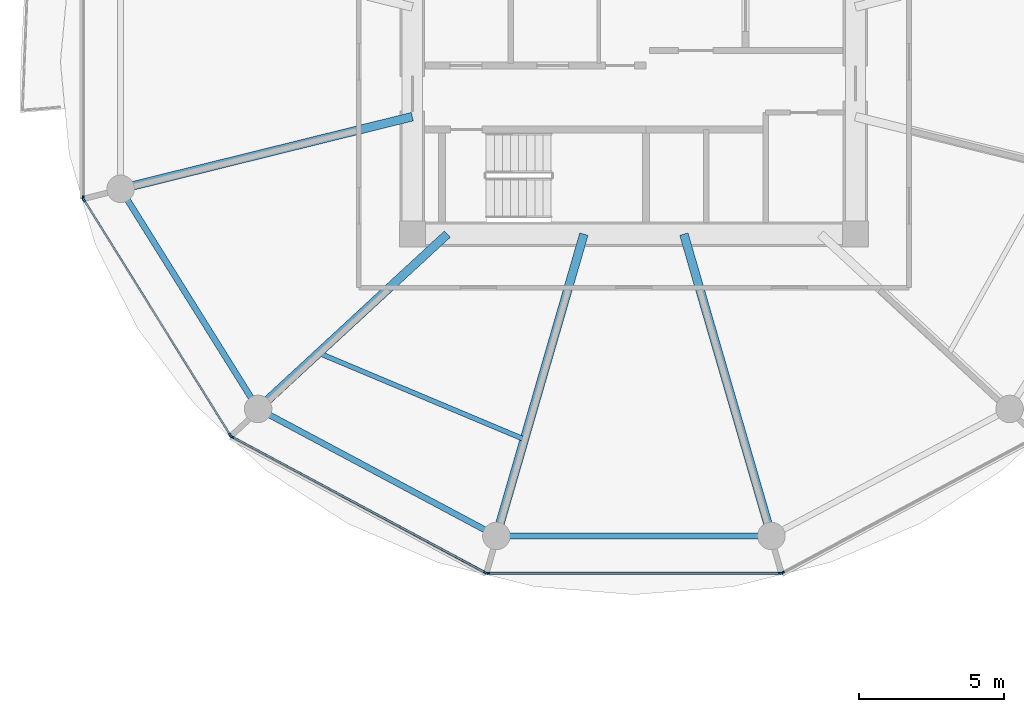
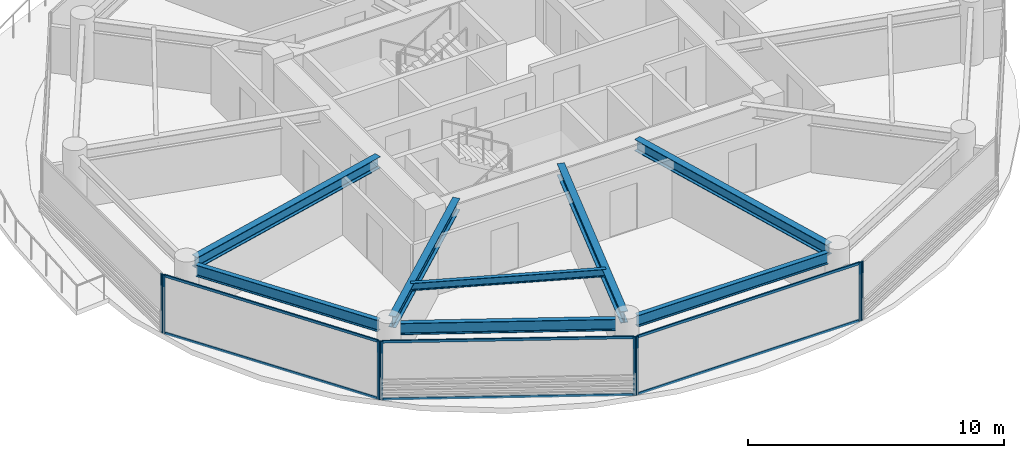
# One storey, part 2 of 25: 14 members, 8 beams, 5 elements without a shape of their own.
"""IFC4 building model written with IfcOpenShell, lengths in metres."""

import ifcopenshell
import ifcopenshell.guid

model = None  # the IFC model being written
_history = None  # IfcOwnerHistory: only IFC2X3 demands one
_inside = {}  # id of a spatial element -> (the spatial element, [elements in it])
_under = {}  # id of a project, library or spatial element -> (it, [spatial elements below it])
_declared = {}  # id of a project -> (the project, [libraries it declares])
_typed = {}  # id of a type object -> (the type object, [elements of that type])
_made_of = {}  # id of a material, layer set ... -> (it, [elements and type objects made of it])


def new_model(schema):
    """Start an empty IFC model of exactly this schema.

    Asked for "IFC4X3", IfcOpenShell would pick the latest addendum, in which some entities
    have other attributes; the version numbers below select the first issue.
    IFC2X3 requires an IfcOwnerHistory on every rooted entity: one is made here for all.
    """
    global model, _history
    if schema == "IFC4X3":
        model = ifcopenshell.file(schema_version=(4, 3, 0, 0))
    else:
        model = ifcopenshell.file(schema=schema)
    _inside.clear()
    _under.clear()
    _declared.clear()
    _typed.clear()
    _made_of.clear()
    _history = None
    if model.schema == "IFC2X3":
        org = make("IfcOrganization", Name="unknown")
        user = make(
            "IfcPersonAndOrganization",
            ThePerson=make("IfcPerson", FamilyName="unknown"),
            TheOrganization=org,
        )
        app = make(
            "IfcApplication",
            ApplicationDeveloper=org,
            Version="unknown",
            ApplicationFullName="unknown",
            ApplicationIdentifier="unknown",
        )
        _history = make(
            "IfcOwnerHistory",
            OwningUser=user,
            OwningApplication=app,
            ChangeAction="ADDED",
            CreationDate=0,
        )
    return model


def make(cls, **values):
    """One entity of the class cls with the attributes given. An attribute that is None is left unset."""
    return model.create_entity(
        cls, **{name: value for name, value in values.items() if value is not None}
    )


def rooted(cls, **values):
    """An entity with a GlobalId (a new one), such as an element, a storey or a relation."""
    return make(cls, GlobalId=ifcopenshell.guid.new(), OwnerHistory=_history, **values)


def si_unit(unit_type, name, prefix=None):
    """IfcSIUnit, for example si_unit("LENGTHUNIT", "METRE", prefix="MILLI")."""
    return make("IfcSIUnit", UnitType=unit_type, Prefix=prefix, Name=name)


def assignment(units):
    """IfcUnitAssignment: the units of a project."""
    return None if units is None else make("IfcUnitAssignment", Units=units)


def point(xyz):
    """IfcCartesianPoint."""
    return None if xyz is None else make("IfcCartesianPoint", Coordinates=xyz)


def direction(xyz):
    """IfcDirection."""
    return None if xyz is None else make("IfcDirection", DirectionRatios=xyz)


def frame(location, z_axis=None, x_axis=None):
    """IfcAxis2Placement3D, a coordinate frame: its origin and axes. An axis left out is left unset."""
    return make(
        "IfcAxis2Placement3D",
        Location=point(location),
        Axis=direction(z_axis),
        RefDirection=direction(x_axis),
    )


def frame_2d(location, x_axis=None):
    """IfcAxis2Placement2D, a coordinate frame in the plane: its origin and x axis."""
    return make(
        "IfcAxis2Placement2D", Location=point(location), RefDirection=direction(x_axis)
    )


def origin():
    """The frame at (0, 0, 0) with its axes left unset."""
    return frame((0.0, 0.0, 0.0))


def origin_2d():
    """The frame at (0, 0) in the plane with its x axis left unset."""
    return frame_2d((0.0, 0.0))


def place(relative_to, where):
    """IfcLocalPlacement: puts the frame where relative to a parent placement (None: the world)."""
    return make(
        "IfcLocalPlacement", PlacementRelTo=relative_to, RelativePlacement=where
    )


def context(
    kind, dimensions, precision=None, world=None, true_north=None, identifier=None
):
    """IfcGeometricRepresentationContext, for example the 3D "Model" context."""
    return make(
        "IfcGeometricRepresentationContext",
        ContextIdentifier=identifier,
        ContextType=kind,
        CoordinateSpaceDimension=dimensions,
        Precision=precision,
        WorldCoordinateSystem=world,
        TrueNorth=true_north,
    )


def subcontext(parent, identifier, kind, view, scale=None):
    """IfcGeometricRepresentationSubContext, for example "Body" below "Model"."""
    return make(
        "IfcGeometricRepresentationSubContext",
        ContextIdentifier=identifier,
        ContextType=kind,
        ParentContext=parent,
        TargetScale=scale,
        TargetView=view,
    )


def project(units=None, contexts=None):
    """IfcProject with its units and contexts."""
    return rooted(
        "IfcProject",
        Name="project",
        RepresentationContexts=contexts,
        UnitsInContext=assignment(units),
    )


def spatial(cls, under=None, at=None, **own):
    """A site, building, storey or space (cls), placed at a placement, below another one or the project."""
    s = rooted(cls, ObjectPlacement=at, **own)
    if under is not None:
        _under.setdefault(under.id(), (under, []))[1].append(s)
    return s


def profile(cls, at=None, kind="AREA", **sizes):
    """A parametric profile (cls). Its sizes go by their IFC names, for example OverallWidth=200.0."""
    return make(cls, ProfileType=kind, Position=at, **sizes)


def rectangle(**sizes):
    """IfcRectangleProfileDef."""
    return profile("IfcRectangleProfileDef", **sizes)


def i_section(**sizes):
    """IfcIShapeProfileDef."""
    return profile("IfcIShapeProfileDef", **sizes)


def extrude(swept, where, along, depth):
    """IfcExtrudedAreaSolid: the profile swept, set in the frame where, extruded along a direction by depth."""
    return make(
        "IfcExtrudedAreaSolid",
        SweptArea=swept,
        Position=where,
        ExtrudedDirection=direction(along),
        Depth=depth,
    )


def shape(context_of_items, identifier, shape_type, items):
    """IfcShapeRepresentation: the items that make up one representation, for example the "Body"."""
    return make(
        "IfcShapeRepresentation",
        ContextOfItems=context_of_items,
        RepresentationIdentifier=identifier,
        RepresentationType=shape_type,
        Items=items,
    )


def source(mapping_origin, context_of_items, identifier, shape_type, items):
    """IfcRepresentationMap: a shape defined once, which mapped items show again and again."""
    return make(
        "IfcRepresentationMap",
        MappingOrigin=mapping_origin,
        MappedRepresentation=shape(context_of_items, identifier, shape_type, items),
    )


def transform(
    local_origin,
    x_axis=None,
    y_axis=None,
    z_axis=None,
    scale=None,
    scale2=None,
    scale3=None,
    uniform=True,
):
    """IfcCartesianTransformationOperator3D, or its non-uniform kind. x_axis, y_axis, z_axis: its Axis1, 2, 3."""
    if uniform:
        return make(
            "IfcCartesianTransformationOperator3D",
            Axis1=direction(x_axis),
            Axis2=direction(y_axis),
            LocalOrigin=point(local_origin),
            Scale=scale,
            Axis3=direction(z_axis),
        )
    return make(
        "IfcCartesianTransformationOperator3DnonUniform",
        Axis1=direction(x_axis),
        Axis2=direction(y_axis),
        LocalOrigin=point(local_origin),
        Scale=scale,
        Axis3=direction(z_axis),
        Scale2=scale2,
        Scale3=scale3,
    )


def mapped(mapping_source, mapping_target):
    """IfcMappedItem: shows the shape of a source again, moved by a transform."""
    return make(
        "IfcMappedItem", MappingSource=mapping_source, MappingTarget=mapping_target
    )


def material(Name=None, Category=None):
    """IfcMaterial."""
    return make("IfcMaterial", Name=Name, Category=Category)


def layer(
    of_material, thickness, ventilated=None, Name=None, Category=None, Priority=None
):
    """IfcMaterialLayer: one layer of a wall or slab, of a material (None: an air gap)."""
    return make(
        "IfcMaterialLayer",
        Material=of_material,
        LayerThickness=thickness,
        IsVentilated=ventilated,
        Name=Name,
        Category=Category,
        Priority=Priority,
    )


def layer_set(layers, Name=None):
    """IfcMaterialLayerSet."""
    return make("IfcMaterialLayerSet", MaterialLayers=layers, LayerSetName=Name)


def material_profile(
    of_material, cross_section, Name=None, Category=None, Priority=None
):
    """IfcMaterialProfile: a cross section and its material."""
    return make(
        "IfcMaterialProfile",
        Name=Name,
        Material=of_material,
        Profile=cross_section,
        Priority=Priority,
        Category=Category,
    )


def profile_set(profiles, Name=None, composite=None):
    """IfcMaterialProfileSet."""
    return make(
        "IfcMaterialProfileSet",
        Name=Name,
        MaterialProfiles=profiles,
        CompositeProfile=composite,
    )


def made_of(thing, what):
    """Note that an element or type object is made of a material, layer set ...; save() writes the relation."""
    if what is not None:
        _made_of.setdefault(what.id(), (what, []))[1].append(thing)
    return thing


def type_object(cls, material=None, **own):
    """A type object (cls), such as IfcWallType, which elements share."""
    return made_of(rooted(cls, **own), material)


def type_shapes(of_type, sources):
    """Give a type object the sources (RepresentationMaps) that its elements show as mapped items."""
    of_type.RepresentationMaps = sources


def element(
    cls,
    number,
    at=None,
    inside=None,
    cuts=None,
    type_object=None,
    material=None,
    context=None,
    identifier="Body",
    shape_type=None,
    held_by="IfcProductDefinitionShape",
    body=None,
    shapes=None,
    **own,
):
    """One element of the class cls, such as IfcWall. Its Tag is "e" and its number.

    at: its placement. inside: the storey or other place that contains it. cuts: it is an
    opening in that element (IfcRelVoidsElement). A single representation is given by context,
    identifier, shape_type and body (its items); several are given by shapes. held_by: the class
    of the entity that holds the representations. save() writes the other relations.
    """
    e = rooted(cls, Tag="e%d" % number, ObjectPlacement=at, **own)
    if body is not None:
        shapes = [shape(context, identifier, shape_type, body)]
    if shapes is not None:
        e.Representation = make(held_by, Representations=shapes)
    if inside is not None:
        _inside.setdefault(inside.id(), (inside, []))[1].append(e)
    if cuts is not None:
        rooted(
            "IfcRelVoidsElement", RelatingBuildingElement=cuts, RelatedOpeningElement=e
        )
    if type_object is not None:
        _typed.setdefault(type_object.id(), (type_object, []))[1].append(e)
    return made_of(e, material)


def aggregate(whole, parts):
    """IfcRelAggregates: a whole, such as a stair, and the parts it consists of."""
    return rooted("IfcRelAggregates", RelatingObject=whole, RelatedObjects=parts)


def save(model, path):
    """Write the relations noted so far, then the file.

    IfcRelAggregates (storeys below a building ...), IfcRelContainedInSpatialStructure (elements
    in a storey), IfcRelDefinesByType, IfcRelAssociatesMaterial and IfcRelDeclares: one each for
    every whole, place, type object, material and project.
    """
    for whole, parts in _under.values():
        aggregate(whole, parts)
    for where, things in _inside.values():
        rooted(
            "IfcRelContainedInSpatialStructure",
            RelatedElements=things,
            RelatingStructure=where,
        )
    for kind, things in _typed.values():
        rooted("IfcRelDefinesByType", RelatedObjects=things, RelatingType=kind)
    for what, things in _made_of.values():
        rooted("IfcRelAssociatesMaterial", RelatedObjects=things, RelatingMaterial=what)
    for by, libraries in _declared.values():
        rooted("IfcRelDeclares", RelatingContext=by, RelatedDefinitions=libraries)
    model.write(path)


model = new_model("IFC4")

# Units and contexts
model_context = context("Model", 3, precision=1e-05, world=origin(), true_north=direction((0.0, 1.0)))
body_context = subcontext(model_context, "Body", "Model", "MODEL_VIEW")
ifc_project = project(units=[si_unit("LENGTHUNIT", "METRE"), si_unit("AREAUNIT", "SQUARE_METRE"), si_unit("VOLUMEUNIT", "CUBIC_METRE"), si_unit("PLANEANGLEUNIT", "RADIAN"), si_unit("MASSUNIT", "GRAM", prefix="KILO")], contexts=[model_context])

# Site, building, storey
site_placement = place(None, origin())
site = spatial("IfcSite", under=ifc_project, at=site_placement, CompositionType="ELEMENT")
building_placement = place(site_placement, origin())
building = spatial("IfcBuilding", under=site, at=building_placement, Name="Norrkilde Senior Care Towers", CompositionType="ELEMENT")
storey_placement = place(building_placement, frame((0.0, 0.0, 27.699951171875)))
storey = spatial("IfcBuildingStorey", under=building, at=storey_placement, Name="L07", CompositionType="ELEMENT", Elevation=27.699951171875)

# Beams
ifc_material_1 = material(Name="Steel S355", Category="steel")
ifc_material_profile_1 = material_profile(ifc_material_1, i_section(OverallWidth=0.2099609375, OverallDepth=0.550048828125, WebThickness=0.010986328125, FlangeThickness=0.01708984375, FilletRadius=0.02392578125, at=origin_2d()), Name="IPE 550")
ifc_profile_set_1 = profile_set([ifc_material_profile_1], Name="Steel S355")
beam_type_1 = type_object("IfcBeamType", Name="Perimeter Ring Spandrel Z1 IPE550", PredefinedType="SPANDREL", material=ifc_profile_set_1)
shared_shape_1 = source(origin(), body_context, "Body", "SweptSolid", [
    extrude(i_section(OverallWidth=0.2099609375, OverallDepth=0.550048828125, WebThickness=0.010986328125, FlangeThickness=0.01708984375, FilletRadius=0.02392578125, at=origin_2d()), origin(), (0.0, 0.0, 1.0), 8.090576171875),
])
beam_1_placement = place(storey_placement, frame((-45.494140625, -4.755859375, 2.51513671875), z_axis=(0.530004364821, -0.84799491347, 0.0), x_axis=(0.84799491347, 0.530004364821, 0.0)))
element("IfcBeam", 1, at=beam_1_placement, inside=storey, type_object=beam_type_1, Name="L07 Drum W Perimeter Spandrel 07", PredefinedType="SPANDREL", context=body_context, shape_type="MappedRepresentation", body=[
    mapped(shared_shape_1, transform((0.0, 0.0, 0.0), x_axis=(1.0, 0.0, 0.0), y_axis=(0.0, 1.0, 0.0), z_axis=(0.0, 0.0, 1.0), scale=1.0)),
])
ifc_material_profile_2 = material_profile(ifc_material_1, i_section(OverallWidth=0.300048828125, OverallDepth=0.550048828125, WebThickness=0.014892578125, FlangeThickness=0.029052734375, FilletRadius=0.027099609375, at=origin_2d()), Name="HEB 550")
ifc_profile_set_2 = profile_set([ifc_material_profile_2], Name="Steel S355")
beam_type_2 = type_object("IfcBeamType", Name="Radial Floor Beam Z1 HEB550", PredefinedType="BEAM", material=ifc_profile_set_2)
shared_shape_2 = source(origin(), body_context, "Body", "SweptSolid", [
    extrude(i_section(OverallWidth=0.300048828125, OverallDepth=0.550048828125, WebThickness=0.014892578125, FlangeThickness=0.029052734375, FilletRadius=0.027099609375, at=origin_2d()), origin(), (0.0, 0.0, 1.0), 9.94384765625),
])
beam_2_placement = place(storey_placement, frame((-35.64990234375, -1.893310546875, 2.51513671875), z_axis=(-0.970707425182, -0.240264634718, 0.0), x_axis=(0.240264634718, -0.970707425182, 0.0)))
element("IfcBeam", 2, at=beam_2_placement, inside=storey, type_object=beam_type_2, Name="L07 Drum W Radial Floor Beam 07", PredefinedType="BEAM", context=body_context, shape_type="MappedRepresentation", body=[
    mapped(shared_shape_2, transform((0.0, 0.0, 0.0), x_axis=(1.0, 0.0, 0.0), y_axis=(0.0, 1.0, 0.0), z_axis=(0.0, 0.0, 1.0), scale=1.0)),
])
shared_shape_3 = source(origin(), body_context, "Body", "SweptSolid", [
    extrude(i_section(OverallWidth=0.2099609375, OverallDepth=0.550048828125, WebThickness=0.010986328125, FlangeThickness=0.01708984375, FilletRadius=0.02392578125, at=origin_2d()), origin(), (0.0, 0.0, 1.0), 8.452880859375),
])
beam_3_placement = place(storey_placement, frame((-40.591552734375, -12.190185546875, 2.51513671875), z_axis=(0.882368931134, -0.470558252898, 0.0), x_axis=(0.470558252898, 0.882368931134, 0.0)))
element("IfcBeam", 3, at=beam_3_placement, inside=storey, type_object=beam_type_1, Name="L07 Drum W Perimeter Spandrel 08", PredefinedType="SPANDREL", context=body_context, shape_type="MappedRepresentation", body=[
    mapped(shared_shape_3, transform((0.0, 0.0, 0.0), x_axis=(1.0, 0.0, 0.0), y_axis=(0.0, 1.0, 0.0), z_axis=(0.0, 0.0, 1.0), scale=1.0)),
])
shared_shape_4 = source(origin(), body_context, "Body", "SweptSolid", [
    extrude(i_section(OverallWidth=0.300048828125, OverallDepth=0.550048828125, WebThickness=0.014892578125, FlangeThickness=0.029052734375, FilletRadius=0.027099609375, at=origin_2d()), origin(), (0.0, 0.0, 1.0), 8.459716796875),
])
beam_4_placement = place(storey_placement, frame((-34.44140625, -5.949951171875, 2.51513671875), z_axis=(-0.734573269108, -0.678529374686, 0.0), x_axis=(0.678529374686, -0.734573269108, 0.0)))
element("IfcBeam", 4, at=beam_4_placement, inside=storey, type_object=beam_type_2, Name="L07 Drum W Radial Floor Beam 08", PredefinedType="BEAM", context=body_context, shape_type="MappedRepresentation", body=[
    mapped(shared_shape_4, transform((0.0, 0.0, 0.0), x_axis=(1.0, 0.0, 0.0), y_axis=(0.0, 1.0, 0.0), z_axis=(0.0, 0.0, 1.0), scale=1.0)),
])
shared_shape_5 = source(origin(), body_context, "Body", "SweptSolid", [
    extrude(i_section(OverallWidth=0.2099609375, OverallDepth=0.550048828125, WebThickness=0.010986328125, FlangeThickness=0.01708984375, FilletRadius=0.02392578125, at=origin_2d()), origin(), (0.0, 0.0, 1.0), 8.62841796875),
])
type_shapes(beam_type_1, [shared_shape_1, shared_shape_3, shared_shape_5])
beam_5_placement = place(storey_placement, frame((-32.314208984375, -16.37255859375, 2.51513671875), z_axis=(1.0, 0.0, 0.0), x_axis=(0.0, 1.0, 0.0)))
element("IfcBeam", 5, at=beam_5_placement, inside=storey, type_object=beam_type_1, Name="L07 Drum W Perimeter Spandrel 09", PredefinedType="SPANDREL", context=body_context, shape_type="MappedRepresentation", body=[
    mapped(shared_shape_5, transform((0.0, 0.0, 0.0), x_axis=(1.0, 0.0, 0.0), y_axis=(0.0, 1.0, 0.0), z_axis=(0.0, 0.0, 1.0), scale=1.0)),
])
shared_shape_6 = source(origin(), body_context, "Body", "SweptSolid", [
    extrude(i_section(OverallWidth=0.300048828125, OverallDepth=0.550048828125, WebThickness=0.014892578125, FlangeThickness=0.029052734375, FilletRadius=0.027099609375, at=origin_2d()), origin(), (0.0, 0.0, 1.0), 10.4169921875),
])
type_shapes(beam_type_2, [shared_shape_2, shared_shape_4, shared_shape_6])
for number, where, z_axis, x_axis, name in (
    (6, (-29.72607421875, -5.949951171875, 2.51513671875), (-0.278591250785, -0.960409764104, 0.0), (0.960409764104, -0.278591250785, 0.0), "L07 Drum W Radial Floor Beam 09"),
    (7, (-26.27392578125, -5.949951171875, 2.51513671875), (0.278591250785, -0.960409764104, 0.0), (0.960409764104, 0.278591250785, 0.0), "L07 Drum W Radial Floor Beam 10"),
):
    element("IfcBeam", number, at=place(storey_placement, frame(where, z_axis=z_axis, x_axis=x_axis)), inside=storey, type_object=beam_type_2, Name=name, PredefinedType="BEAM", context=body_context, shape_type="MappedRepresentation", body=[
        mapped(shared_shape_6, transform((0.0, 0.0, 0.0), x_axis=(1.0, 0.0, 0.0), y_axis=(0.0, 1.0, 0.0), z_axis=(0.0, 0.0, 1.0), scale=1.0)),
    ])
ifc_material_profile_3 = material_profile(ifc_material_1, i_section(OverallWidth=0.169921875, OverallDepth=0.360107421875, WebThickness=0.008056640625, FlangeThickness=0.0126953125, FilletRadius=0.01806640625, at=origin_2d()), Name="IPE 360")
ifc_profile_set_3 = profile_set([ifc_material_profile_3], Name="Steel S355")
beam_type_3 = type_object("IfcBeamType", Name="Secondary Floor Joist IPE360", PredefinedType="JOIST", material=ifc_profile_set_3)
shared_shape_7 = source(origin(), body_context, "Body", "SweptSolid", [
    extrude(i_section(OverallWidth=0.169921875, OverallDepth=0.360107421875, WebThickness=0.008056640625, FlangeThickness=0.0126953125, FilletRadius=0.01806640625, at=origin_2d()), origin(), (0.0, 0.0, 1.0), 7.703857421875),
])
type_shapes(beam_type_3, [shared_shape_7])
beam_6_placement = place(storey_placement, frame((-38.884521484375, -10.05419921875, 2.610107421875), z_axis=(0.921982784465, -0.387230868023, 0.0), x_axis=(0.387230868023, 0.921982784465, 0.0)))
element("IfcBeam", 8, at=beam_6_placement, inside=storey, type_object=beam_type_3, Name="L07 Drum W Secondary Floor Joist 3", PredefinedType="JOIST", context=body_context, shape_type="MappedRepresentation", body=[
    mapped(shared_shape_7, transform((0.0, 0.0, 0.0), x_axis=(1.0, 0.0, 0.0), y_axis=(0.0, 1.0, 0.0), z_axis=(0.0, 0.0, 1.0), scale=1.0)),
])

# Curtain wall, member
ifc_material_2 = material(Name="Triple Low-E Insulated Glazing", Category="glass")
ifc_layer = layer(ifc_material_2, 0.199951171875)
ifc_layer_set = layer_set([ifc_layer], Name="Triple Low-E Insulated Glazing")
curtain_wall_type = type_object("IfcCurtainWallType", Name="CW2 Zone 1 Memory Care Curtain Wall", PredefinedType="NOTDEFINED", material=ifc_layer_set)
curtain_wall_1_placement = place(storey_placement, origin())
curtain_wall_1 = element("IfcCurtainWall", 9, at=curtain_wall_1_placement, inside=storey, type_object=curtain_wall_type, Name="L07 Drum W Curtain Wall 05", PredefinedType="NOTDEFINED")
ifc_material_3 = material(Name="Anodised Aluminium", Category="aluminium")
ifc_material_profile_4 = material_profile(ifc_material_3, rectangle(XDim=0.06494140625, YDim=0.159912109375, at=origin_2d()), Name="ALU MULL 65x160")
ifc_profile_set_4 = profile_set([ifc_material_profile_4], Name="Anodised Aluminium")
member_type_1 = type_object("IfcMemberType", Name="Curtain Wall Mullion Z1-Z2 65x160", PredefinedType="MULLION", material=ifc_profile_set_4)
shared_shape_8 = source(origin(), body_context, "Body", "SweptSolid", [
    extrude(rectangle(XDim=0.06494140625, YDim=0.159912109375, at=origin_2d()), origin(), (0.0, 0.0, 1.0), 2.7900390625),
])
type_shapes(member_type_1, [shared_shape_8])
member_1_placement = place(storey_placement, frame((-47.009521484375, -4.69873046875, 0.0), z_axis=(0.0, 0.0, 1.0), x_axis=(-1.0, 0.0, 0.0)))
member_1 = element("IfcMember", 10, at=member_1_placement, type_object=member_type_1, Name="CW-2 mullion 1", PredefinedType="MULLION", context=body_context, shape_type="MappedRepresentation", body=[
    mapped(shared_shape_8, transform((0.0, 0.0, 0.0), x_axis=(1.0, 0.0, 0.0), y_axis=(0.0, 1.0, 0.0), z_axis=(0.0, 0.0, 1.0), scale=1.0)),
])
aggregate(curtain_wall_1, [member_1])

# Curtain wall, members
curtain_wall_2_placement = place(storey_placement, origin())
curtain_wall_2 = element("IfcCurtainWall", 11, at=curtain_wall_2_placement, inside=storey, type_object=curtain_wall_type, Name="L07 Drum W Curtain Wall 06", PredefinedType="NOTDEFINED")
member_2_placement = place(storey_placement, frame((-41.93310546875, -12.898193359375, 0.0), z_axis=(0.0, 0.0, 1.0), x_axis=(-0.849305943117, -0.527900951871, 0.0)))
member_2 = element("IfcMember", 12, at=member_2_placement, type_object=member_type_1, Name="CW-2 mullion 1", PredefinedType="MULLION", context=body_context, shape_type="MappedRepresentation", body=[
    mapped(shared_shape_8, transform((0.0, 0.0, 0.0), x_axis=(1.0, 0.0, 0.0), y_axis=(0.0, 1.0, 0.0), z_axis=(0.0, 0.0, 1.0), scale=1.0)),
])
member_3_placement = place(storey_placement, frame((-46.9921875, -4.7587890625, 0.0), z_axis=(0.0, 0.0, 1.0), x_axis=(-0.849305943117, -0.527900951871, 0.0)))
member_3 = element("IfcMember", 13, at=member_3_placement, type_object=member_type_1, Name="CW-2 mullion 2", PredefinedType="MULLION", context=body_context, shape_type="MappedRepresentation", body=[
    mapped(shared_shape_8, transform((0.0, 0.0, 0.0), x_axis=(1.0, 0.0, 0.0), y_axis=(0.0, 1.0, 0.0), z_axis=(0.0, 0.0, 1.0), scale=1.0)),
])

curtain_wall_3_placement = place(storey_placement, origin())
curtain_wall_3 = element("IfcCurtainWall", 14, at=curtain_wall_3_placement, inside=storey, type_object=curtain_wall_type, Name="L07 Drum W Curtain Wall 07", PredefinedType="NOTDEFINED")
member_4_placement = place(storey_placement, frame((-33.122314453125, -17.641845703125, 0.0), z_axis=(0.0, 0.0, 1.0), x_axis=(-0.472607802456, -0.881272866403, 0.0)))
member_4 = element("IfcMember", 15, at=member_4_placement, type_object=member_type_1, Name="CW-2 mullion 1", PredefinedType="MULLION", context=body_context, shape_type="MappedRepresentation", body=[
    mapped(shared_shape_8, transform((0.0, 0.0, 0.0), x_axis=(1.0, 0.0, 0.0), y_axis=(0.0, 1.0, 0.0), z_axis=(0.0, 0.0, 1.0), scale=1.0)),
])
member_5_placement = place(storey_placement, frame((-41.88720703125, -12.941162109375, 0.0), z_axis=(0.0, 0.0, 1.0), x_axis=(-0.472607802456, -0.881272866403, 0.0)))
member_5 = element("IfcMember", 16, at=member_5_placement, type_object=member_type_1, Name="CW-2 mullion 2", PredefinedType="MULLION", context=body_context, shape_type="MappedRepresentation", body=[
    mapped(shared_shape_8, transform((0.0, 0.0, 0.0), x_axis=(1.0, 0.0, 0.0), y_axis=(0.0, 1.0, 0.0), z_axis=(0.0, 0.0, 1.0), scale=1.0)),
])

curtain_wall_4_placement = place(storey_placement, origin())
curtain_wall_4 = element("IfcCurtainWall", 17, at=curtain_wall_4_placement, inside=storey, type_object=curtain_wall_type, Name="L07 Drum W Curtain Wall 08", PredefinedType="NOTDEFINED")
member_6_placement = place(storey_placement, frame((-22.93896484375, -17.6572265625, 0.0), z_axis=(0.0, 0.0, 1.0), x_axis=(0.0, -1.0, 0.0)))
member_6 = element("IfcMember", 18, at=member_6_placement, type_object=member_type_1, Name="CW-2 mullion 1", PredefinedType="MULLION", context=body_context, shape_type="MappedRepresentation", body=[
    mapped(shared_shape_8, transform((0.0, 0.0, 0.0), x_axis=(1.0, 0.0, 0.0), y_axis=(0.0, 1.0, 0.0), z_axis=(0.0, 0.0, 1.0), scale=1.0)),
])
member_7_placement = place(storey_placement, frame((-33.06103515625, -17.6572265625, 0.0), z_axis=(0.0, 0.0, 1.0), x_axis=(0.0, -1.0, 0.0)))
member_7 = element("IfcMember", 19, at=member_7_placement, type_object=member_type_1, Name="CW-2 mullion 2", PredefinedType="MULLION", context=body_context, shape_type="MappedRepresentation", body=[
    mapped(shared_shape_8, transform((0.0, 0.0, 0.0), x_axis=(1.0, 0.0, 0.0), y_axis=(0.0, 1.0, 0.0), z_axis=(0.0, 0.0, 1.0), scale=1.0)),
])

# Curtain wall, member
curtain_wall_5_placement = place(storey_placement, origin())
curtain_wall_5 = element("IfcCurtainWall", 20, at=curtain_wall_5_placement, inside=storey, type_object=curtain_wall_type, Name="L07 Drum W Curtain Wall 09", PredefinedType="NOTDEFINED")
member_8_placement = place(storey_placement, frame((-22.877685546875, -17.641845703125, 0.0), z_axis=(0.0, 0.0, 1.0), x_axis=(0.472607802456, -0.881272866403, 0.0)))
member_8 = element("IfcMember", 21, at=member_8_placement, type_object=member_type_1, Name="CW-2 mullion 2", PredefinedType="MULLION", context=body_context, shape_type="MappedRepresentation", body=[
    mapped(shared_shape_8, transform((0.0, 0.0, 0.0), x_axis=(1.0, 0.0, 0.0), y_axis=(0.0, 1.0, 0.0), z_axis=(0.0, 0.0, 1.0), scale=1.0)),
])
aggregate(curtain_wall_5, [member_8])

# Member
ifc_material_profile_5 = material_profile(ifc_material_3, rectangle(XDim=0.06005859375, YDim=0.1201171875, at=origin_2d()), Name="ALU TRAN 60x120")
ifc_profile_set_5 = profile_set([ifc_material_profile_5], Name="Anodised Aluminium")
member_type_2 = type_object("IfcMemberType", Name="Curtain Wall Transom Typical 60x120", PredefinedType="USERDEFINED", material=ifc_profile_set_5)
shared_shape_9 = source(origin(), body_context, "Body", "SweptSolid", [
    extrude(rectangle(XDim=0.06005859375, YDim=0.1201171875, at=origin_2d()), origin(), (0.0, 0.0, 1.0), 9.5185546875),
])
member_9_placement = place(storey_placement, frame((-41.9501953125, -12.87060546875, 0.030029296875), z_axis=(-0.527901620669, 0.849305527413, 0.0), x_axis=(-0.849305527413, -0.527901620669, 0.0)))
member_9 = element("IfcMember", 22, at=member_9_placement, type_object=member_type_2, Name="CW-2 transom 1.1", ObjectType="TRANSOM", PredefinedType="USERDEFINED", context=body_context, shape_type="MappedRepresentation", body=[
    mapped(shared_shape_9, transform((0.0, 0.0, 0.0), x_axis=(1.0, 0.0, 0.0), y_axis=(0.0, 1.0, 0.0), z_axis=(0.0, 0.0, 1.0), scale=1.0)),
])

member_10_placement = place(storey_placement, frame((-41.9501953125, -12.87060546875, 2.760009765625), z_axis=(-0.527901620669, 0.849305527413, 0.0), x_axis=(-0.849305527413, -0.527901620669, 0.0)))
member_10 = element("IfcMember", 23, at=member_10_placement, type_object=member_type_2, Name="CW-2 transom 1.2", ObjectType="TRANSOM", PredefinedType="USERDEFINED", context=body_context, shape_type="MappedRepresentation", body=[
    mapped(shared_shape_9, transform((0.0, 0.0, 0.0), x_axis=(1.0, 0.0, 0.0), y_axis=(0.0, 1.0, 0.0), z_axis=(0.0, 0.0, 1.0), scale=1.0)),
])

aggregate(curtain_wall_2, [member_2, member_3, member_9, member_10])

shared_shape_10 = source(origin(), body_context, "Body", "SweptSolid", [
    extrude(rectangle(XDim=0.06005859375, YDim=0.1201171875, at=origin_2d()), origin(), (0.0, 0.0, 1.0), 9.880859375),
])
member_11_placement = place(storey_placement, frame((-33.15087890625, -17.62646484375, 0.030029296875), z_axis=(-0.881267204043, 0.47261836092, 0.0), x_axis=(-0.47261836092, -0.881267204043, 0.0)))
member_11 = element("IfcMember", 24, at=member_11_placement, type_object=member_type_2, Name="CW-2 transom 1.1", ObjectType="TRANSOM", PredefinedType="USERDEFINED", context=body_context, shape_type="MappedRepresentation", body=[
    mapped(shared_shape_10, transform((0.0, 0.0, 0.0), x_axis=(1.0, 0.0, 0.0), y_axis=(0.0, 1.0, 0.0), z_axis=(0.0, 0.0, 1.0), scale=1.0)),
])

member_12_placement = place(storey_placement, frame((-33.15087890625, -17.62646484375, 2.760009765625), z_axis=(-0.881267204043, 0.47261836092, 0.0), x_axis=(-0.47261836092, -0.881267204043, 0.0)))
member_12 = element("IfcMember", 25, at=member_12_placement, type_object=member_type_2, Name="CW-2 transom 1.2", ObjectType="TRANSOM", PredefinedType="USERDEFINED", context=body_context, shape_type="MappedRepresentation", body=[
    mapped(shared_shape_10, transform((0.0, 0.0, 0.0), x_axis=(1.0, 0.0, 0.0), y_axis=(0.0, 1.0, 0.0), z_axis=(0.0, 0.0, 1.0), scale=1.0)),
])

aggregate(curtain_wall_3, [member_4, member_5, member_11, member_12])

shared_shape_11 = source(origin(), body_context, "Body", "SweptSolid", [
    extrude(rectangle(XDim=0.06005859375, YDim=0.1201171875, at=origin_2d()), origin(), (0.0, 0.0, 1.0), 10.05712890625),
])
type_shapes(member_type_2, [shared_shape_9, shared_shape_10, shared_shape_11])
member_13_placement = place(storey_placement, frame((-22.971435546875, -17.6572265625, 0.030029296875), z_axis=(-1.0, 0.0, 0.0), x_axis=(0.0, -1.0, 0.0)))
member_13 = element("IfcMember", 26, at=member_13_placement, type_object=member_type_2, Name="CW-2 transom 1.1", ObjectType="TRANSOM", PredefinedType="USERDEFINED", context=body_context, shape_type="MappedRepresentation", body=[
    mapped(shared_shape_11, transform((0.0, 0.0, 0.0), x_axis=(1.0, 0.0, 0.0), y_axis=(0.0, 1.0, 0.0), z_axis=(0.0, 0.0, 1.0), scale=1.0)),
])

member_14_placement = place(storey_placement, frame((-22.971435546875, -17.6572265625, 2.760009765625), z_axis=(-1.0, 0.0, 0.0), x_axis=(0.0, -1.0, 0.0)))
member_14 = element("IfcMember", 27, at=member_14_placement, type_object=member_type_2, Name="CW-2 transom 1.2", ObjectType="TRANSOM", PredefinedType="USERDEFINED", context=body_context, shape_type="MappedRepresentation", body=[
    mapped(shared_shape_11, transform((0.0, 0.0, 0.0), x_axis=(1.0, 0.0, 0.0), y_axis=(0.0, 1.0, 0.0), z_axis=(0.0, 0.0, 1.0), scale=1.0)),
])

aggregate(curtain_wall_4, [member_6, member_7, member_13, member_14])

save(model, "model.ifc")
